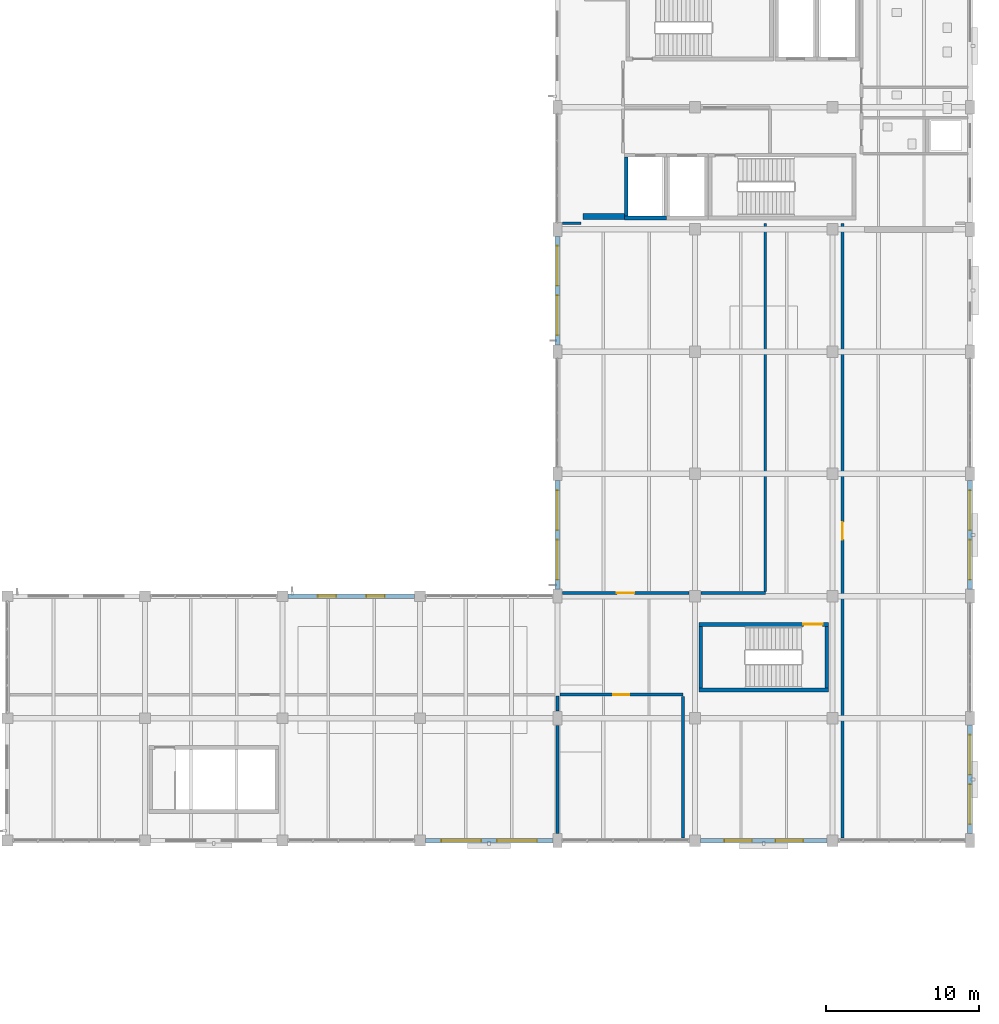
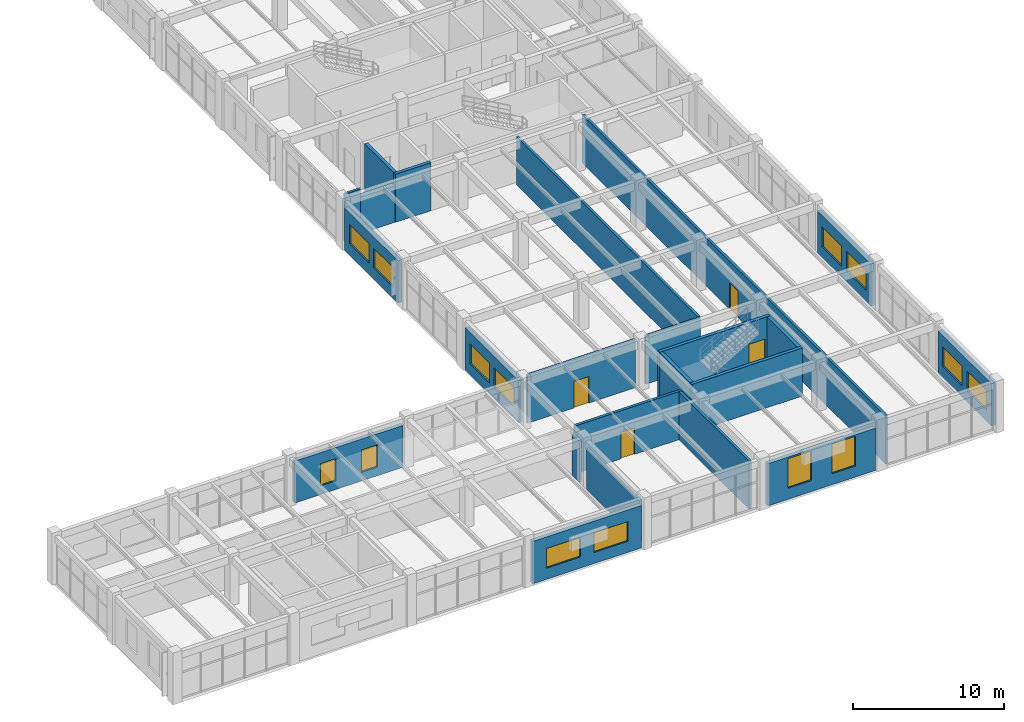
# One storey, part 111 of 128: 23 walls, 14 windows, 4 doors, 18 openings.
"""IFC4 building model written with IfcOpenShell, lengths in metres."""

from ifc_helpers import new_model, si_unit, derived_unit, direction, frame, frame_2d, origin, place, context, subcontext, project, spatial, rectangle, extrude, material, layer, layer_set, type_object, element, fill, save


model = new_model("IFC4")

# Units and contexts
model_context = context("Model", 3, precision=1e-05, world=origin(), true_north=direction((0.0, 1.0)))
body_context = subcontext(model_context, "Body", "Model", "MODEL_VIEW")
ifc_project = project(units=[si_unit("LENGTHUNIT", "METRE"), si_unit("AREAUNIT", "SQUARE_METRE"), si_unit("VOLUMEUNIT", "CUBIC_METRE"), si_unit("PLANEANGLEUNIT", "RADIAN"), si_unit("MASSUNIT", "GRAM", prefix="KILO"), derived_unit("THERMALTRANSMITTANCEUNIT", [(si_unit("MASSUNIT", "GRAM", prefix="KILO"), 1), (si_unit("TIMEUNIT", "SECOND"), -3), (si_unit("THERMODYNAMICTEMPERATUREUNIT", "KELVIN"), -1)])], contexts=[model_context])

# Site, building, storey
site_placement = place(None, origin())
site = spatial("IfcSite", under=ifc_project, at=site_placement, CompositionType="ELEMENT")
building_placement = place(site_placement, origin())
building = spatial("IfcBuilding", under=site, at=building_placement, Name="Zhenchuan Archway Interchange", CompositionType="ELEMENT")
storey_placement = place(building_placement, frame((0.0, 0.0, 14.39990234375)))
storey = spatial("IfcBuildingStorey", under=building, at=storey_placement, Name="L03", CompositionType="ELEMENT", Elevation=14.39990234375)

# Wall, openings, windows
ifc_material_1 = material(Name="Terracotta Masonry", Category="masonry")
ifc_layer_1 = layer(ifc_material_1, 0.300048828125)
ifc_layer_set_1 = layer_set([ifc_layer_1], Name="Terracotta Masonry")
wall_type_1 = type_object("IfcWallType", Name="EW_TERRA_300", PredefinedType="STANDARD", material=ifc_layer_set_1)
wall_1_placement = place(storey_placement, frame((126.347900390625, 24.0, 0.0), z_axis=(0.0, 0.0, 1.0), x_axis=(1.0, 0.0, 0.0)))
wall_1 = element("IfcWall", 1, at=wall_1_placement, inside=storey, type_object=wall_type_1, Name="Exterior wall L03-003", PredefinedType="STANDARD", context=body_context, shape_type="SweptSolid", body=[
    extrude(rectangle(XDim=8.30419921875, YDim=0.300048828125, at=frame_2d((4.152099609375, 0.0))), origin(), (0.0, 0.0, 1.0), 3.39013671875),
])
opening_1_placement = place(wall_1_placement, frame((1.968017578125, 0.0, 0.699951171875)))
opening_1 = element("IfcOpeningElement", 2, at=opening_1_placement, cuts=wall_1, Name="Opening W-07", PredefinedType="OPENING", context=body_context, shape_type="SweptSolid", body=[
    extrude(rectangle(XDim=1.199951171875, YDim=1.800048828125, at=frame_2d((0.60009765625, 0.89990234375))), frame((0.0, 0.162109375, 0.0), z_axis=(0.0, -1.0, 0.0), x_axis=(1.0, 0.0, 0.0)), (0.0, 0.0, 1.0), 0.323974609375),
])
opening_2_placement = place(wall_1_placement, frame((5.135986328125, 0.0, 0.699951171875)))
opening_2 = element("IfcOpeningElement", 3, at=opening_2_placement, cuts=wall_1, Name="Opening W-07", PredefinedType="OPENING", context=body_context, shape_type="SweptSolid", body=[
    extrude(rectangle(XDim=1.199951171875, YDim=1.800048828125, at=frame_2d((0.60009765625, 0.89990234375))), frame((0.0, 0.162109375, 0.0), z_axis=(0.0, -1.0, 0.0), x_axis=(1.0, 0.0, 0.0)), (0.0, 0.0, 1.0), 0.323974609375),
])
ifc_material_2 = material(Name="Double Low-E Insulated Glazing", Category="glass")
window_type_1 = type_object("IfcWindowType", Name="WN_MOD_1200x1800", PartitioningType="SINGLE_PANEL", PredefinedType="WINDOW", material=ifc_material_2)
window_1_placement = place(opening_1_placement, origin())
window_1 = element("IfcWindow", 4, at=window_1_placement, inside=storey, type_object=window_type_1, Name="Window L03-0266", OverallHeight=1.800048828125, OverallWidth=1.199951171875, PartitioningType="SINGLE_PANEL", PredefinedType="WINDOW", context=body_context, shape_type="SweptSolid", body=[
    extrude(rectangle(XDim=1.199951171875, YDim=1.800048828125, at=frame_2d((0.60009765625, 0.89990234375))), frame((0.0, 0.030029296875, 0.0), z_axis=(0.0, -1.0, 0.0), x_axis=(1.0, 0.0, 0.0)), (0.0, 0.0, 1.0), 0.06005859375),
])
fill(opening_1, window_1)
window_2_placement = place(opening_2_placement, origin())
window_2 = element("IfcWindow", 5, at=window_2_placement, inside=storey, type_object=window_type_1, Name="Window L03-0267", OverallHeight=1.800048828125, OverallWidth=1.199951171875, PartitioningType="SINGLE_PANEL", PredefinedType="WINDOW", context=body_context, shape_type="SweptSolid", body=[
    extrude(rectangle(XDim=1.199951171875, YDim=1.800048828125, at=frame_2d((0.60009765625, 0.89990234375))), frame((0.0, 0.030029296875, 0.0), z_axis=(0.0, -1.0, 0.0), x_axis=(1.0, 0.0, 0.0)), (0.0, 0.0, 1.0), 0.06005859375),
])
fill(opening_2, window_2)

wall_2_placement = place(storey_placement, frame((144.0, 24.447998046875, 0.0), z_axis=(0.0, 0.0, 1.0), x_axis=(0.0, 1.0, 0.0)))
wall_2 = element("IfcWall", 6, at=wall_2_placement, inside=storey, type_object=wall_type_1, Name="Exterior wall L03-005", PredefinedType="STANDARD", context=body_context, shape_type="SweptSolid", body=[
    extrude(rectangle(XDim=7.10400390625, YDim=0.300048828125, at=frame_2d((3.552001953125, 0.0))), origin(), (0.0, 0.0, 1.0), 3.43017578125),
])
opening_3_placement = place(wall_2_placement, frame((0.634765625, 0.0, 0.89990234375)))
opening_3 = element("IfcOpeningElement", 7, at=opening_3_placement, cuts=wall_2, Name="Opening W-09", PredefinedType="OPENING", context=body_context, shape_type="SweptSolid", body=[
    extrude(rectangle(XDim=2.60009765625, YDim=1.60009765625, at=frame_2d((1.300048828125, 0.800048828125))), frame((0.0, 0.162109375, 0.0), z_axis=(0.0, -1.0, 0.0), x_axis=(1.0, 0.0, 0.0)), (0.0, 0.0, 1.0), 0.323974609375),
])
opening_4_placement = place(wall_2_placement, frame((3.869384765625, 0.0, 0.89990234375)))
opening_4 = element("IfcOpeningElement", 8, at=opening_4_placement, cuts=wall_2, Name="Opening W-09", PredefinedType="OPENING", context=body_context, shape_type="SweptSolid", body=[
    extrude(rectangle(XDim=2.60009765625, YDim=1.60009765625, at=frame_2d((1.300048828125, 0.800048828125))), frame((0.0, 0.162109375, 0.0), z_axis=(0.0, -1.0, 0.0), x_axis=(1.0, 0.0, 0.0)), (0.0, 0.0, 1.0), 0.323974609375),
])
window_type_2 = type_object("IfcWindowType", Name="WN_MOD_2600x1600", PartitioningType="SINGLE_PANEL", PredefinedType="WINDOW", material=ifc_material_2)
window_3_placement = place(opening_3_placement, origin())
window_3 = element("IfcWindow", 9, at=window_3_placement, inside=storey, type_object=window_type_2, Name="Window L03-0268", OverallHeight=1.60009765625, OverallWidth=2.60009765625, PartitioningType="SINGLE_PANEL", PredefinedType="WINDOW", context=body_context, shape_type="SweptSolid", body=[
    extrude(rectangle(XDim=2.60009765625, YDim=1.60009765625, at=frame_2d((1.300048828125, 0.800048828125))), frame((0.0, 0.030029296875, 0.0), z_axis=(0.0, -1.0, 0.0), x_axis=(1.0, 0.0, 0.0)), (0.0, 0.0, 1.0), 0.06005859375),
])
fill(opening_3, window_3)
window_4_placement = place(opening_4_placement, origin())
window_4 = element("IfcWindow", 10, at=window_4_placement, inside=storey, type_object=window_type_2, Name="Window L03-0269", OverallHeight=1.60009765625, OverallWidth=2.60009765625, PartitioningType="SINGLE_PANEL", PredefinedType="WINDOW", context=body_context, shape_type="SweptSolid", body=[
    extrude(rectangle(XDim=2.60009765625, YDim=1.60009765625, at=frame_2d((1.300048828125, 0.800048828125))), frame((0.0, 0.030029296875, 0.0), z_axis=(0.0, -1.0, 0.0), x_axis=(1.0, 0.0, 0.0)), (0.0, 0.0, 1.0), 0.06005859375),
])
fill(opening_4, window_4)

wall_3_placement = place(storey_placement, frame((144.0, 40.447998046875, 0.0), z_axis=(0.0, 0.0, 1.0), x_axis=(0.0, 1.0, 0.0)))
wall_3 = element("IfcWall", 11, at=wall_3_placement, inside=storey, type_object=wall_type_1, Name="Exterior wall L03-007", PredefinedType="STANDARD", context=body_context, shape_type="SweptSolid", body=[
    extrude(rectangle(XDim=7.10400390625, YDim=0.300048828125, at=frame_2d((3.552001953125, 0.0))), origin(), (0.0, 0.0, 1.0), 3.43017578125),
])
opening_5_placement = place(wall_3_placement, frame((0.634765625, 0.0, 0.89990234375)))
opening_5 = element("IfcOpeningElement", 12, at=opening_5_placement, cuts=wall_3, Name="Opening W-09", PredefinedType="OPENING", context=body_context, shape_type="SweptSolid", body=[
    extrude(rectangle(XDim=2.60009765625, YDim=1.60009765625, at=frame_2d((1.300048828125, 0.800048828125))), frame((0.0, 0.162109375, 0.0), z_axis=(0.0, -1.0, 0.0), x_axis=(1.0, 0.0, 0.0)), (0.0, 0.0, 1.0), 0.323974609375),
])
opening_6_placement = place(wall_3_placement, frame((3.869384765625, 0.0, 0.89990234375)))
opening_6 = element("IfcOpeningElement", 13, at=opening_6_placement, cuts=wall_3, Name="Opening W-09", PredefinedType="OPENING", context=body_context, shape_type="SweptSolid", body=[
    extrude(rectangle(XDim=2.60009765625, YDim=1.60009765625, at=frame_2d((1.300048828125, 0.800048828125))), frame((0.0, 0.162109375, 0.0), z_axis=(0.0, -1.0, 0.0), x_axis=(1.0, 0.0, 0.0)), (0.0, 0.0, 1.0), 0.323974609375),
])
window_5_placement = place(opening_5_placement, origin())
window_5 = element("IfcWindow", 14, at=window_5_placement, inside=storey, type_object=window_type_2, Name="Window L03-0270", OverallHeight=1.60009765625, OverallWidth=2.60009765625, PartitioningType="SINGLE_PANEL", PredefinedType="WINDOW", context=body_context, shape_type="SweptSolid", body=[
    extrude(rectangle(XDim=2.60009765625, YDim=1.60009765625, at=frame_2d((1.300048828125, 0.800048828125))), frame((0.0, 0.030029296875, 0.0), z_axis=(0.0, -1.0, 0.0), x_axis=(1.0, 0.0, 0.0)), (0.0, 0.0, 1.0), 0.06005859375),
])
fill(opening_5, window_5)
window_6_placement = place(opening_6_placement, origin())
window_6 = element("IfcWindow", 15, at=window_6_placement, inside=storey, type_object=window_type_2, Name="Window L03-0271", OverallHeight=1.60009765625, OverallWidth=2.60009765625, PartitioningType="SINGLE_PANEL", PredefinedType="WINDOW", context=body_context, shape_type="SweptSolid", body=[
    extrude(rectangle(XDim=2.60009765625, YDim=1.60009765625, at=frame_2d((1.300048828125, 0.800048828125))), frame((0.0, 0.030029296875, 0.0), z_axis=(0.0, -1.0, 0.0), x_axis=(1.0, 0.0, 0.0)), (0.0, 0.0, 1.0), 0.06005859375),
])
fill(opening_6, window_6)

wall_4_placement = place(storey_placement, frame((171.0, 31.552001953125, 0.0), z_axis=(0.0, 0.0, 1.0), x_axis=(0.0, -1.0, 0.0)))
wall_4 = element("IfcWall", 16, at=wall_4_placement, inside=storey, type_object=wall_type_1, Name="Exterior wall L03-035", PredefinedType="STANDARD", context=body_context, shape_type="SweptSolid", body=[
    extrude(rectangle(XDim=7.10400390625, YDim=0.300048828125, at=frame_2d((3.552001953125, 0.0))), origin(), (0.0, 0.0, 1.0), 3.43017578125),
])
opening_7_placement = place(wall_4_placement, frame((0.634765625, 0.0, 0.89990234375)))
opening_7 = element("IfcOpeningElement", 17, at=opening_7_placement, cuts=wall_4, Name="Opening W-09", PredefinedType="OPENING", context=body_context, shape_type="SweptSolid", body=[
    extrude(rectangle(XDim=2.60009765625, YDim=1.60009765625, at=frame_2d((1.300048828125, 0.800048828125))), frame((0.0, 0.162109375, 0.0), z_axis=(0.0, -1.0, 0.0), x_axis=(1.0, 0.0, 0.0)), (0.0, 0.0, 1.0), 0.323974609375),
])
opening_8_placement = place(wall_4_placement, frame((3.869384765625, 0.0, 0.89990234375)))
opening_8 = element("IfcOpeningElement", 18, at=opening_8_placement, cuts=wall_4, Name="Opening W-09", PredefinedType="OPENING", context=body_context, shape_type="SweptSolid", body=[
    extrude(rectangle(XDim=2.60009765625, YDim=1.60009765625, at=frame_2d((1.300048828125, 0.800048828125))), frame((0.0, 0.162109375, 0.0), z_axis=(0.0, -1.0, 0.0), x_axis=(1.0, 0.0, 0.0)), (0.0, 0.0, 1.0), 0.323974609375),
])
window_7_placement = place(opening_7_placement, origin())
window_7 = element("IfcWindow", 19, at=window_7_placement, inside=storey, type_object=window_type_2, Name="Window L03-0298", OverallHeight=1.60009765625, OverallWidth=2.60009765625, PartitioningType="SINGLE_PANEL", PredefinedType="WINDOW", context=body_context, shape_type="SweptSolid", body=[
    extrude(rectangle(XDim=2.60009765625, YDim=1.60009765625, at=frame_2d((1.300048828125, 0.800048828125))), frame((0.0, 0.030029296875, 0.0), z_axis=(0.0, -1.0, 0.0), x_axis=(1.0, 0.0, 0.0)), (0.0, 0.0, 1.0), 0.06005859375),
])
fill(opening_7, window_7)
window_8_placement = place(opening_8_placement, origin())
window_8 = element("IfcWindow", 20, at=window_8_placement, inside=storey, type_object=window_type_2, Name="Window L03-0299", OverallHeight=1.60009765625, OverallWidth=2.60009765625, PartitioningType="SINGLE_PANEL", PredefinedType="WINDOW", context=body_context, shape_type="SweptSolid", body=[
    extrude(rectangle(XDim=2.60009765625, YDim=1.60009765625, at=frame_2d((1.300048828125, 0.800048828125))), frame((0.0, 0.030029296875, 0.0), z_axis=(0.0, -1.0, 0.0), x_axis=(1.0, 0.0, 0.0)), (0.0, 0.0, 1.0), 0.06005859375),
])
fill(opening_8, window_8)

wall_5_placement = place(storey_placement, frame((171.0, 15.552001953125, 0.0), z_axis=(0.0, 0.0, 1.0), x_axis=(0.0, -1.0, 0.0)))
wall_5 = element("IfcWall", 21, at=wall_5_placement, inside=storey, type_object=wall_type_1, Name="Exterior wall L03-037", PredefinedType="STANDARD", context=body_context, shape_type="SweptSolid", body=[
    extrude(rectangle(XDim=7.10400390625, YDim=0.300048828125, at=frame_2d((3.552001953125, 0.0))), origin(), (0.0, 0.0, 1.0), 3.43017578125),
])
opening_9_placement = place(wall_5_placement, frame((0.634765625, 0.0, 0.89990234375)))
opening_9 = element("IfcOpeningElement", 22, at=opening_9_placement, cuts=wall_5, Name="Opening W-09", PredefinedType="OPENING", context=body_context, shape_type="SweptSolid", body=[
    extrude(rectangle(XDim=2.60009765625, YDim=1.60009765625, at=frame_2d((1.300048828125, 0.800048828125))), frame((0.0, 0.162109375, 0.0), z_axis=(0.0, -1.0, 0.0), x_axis=(1.0, 0.0, 0.0)), (0.0, 0.0, 1.0), 0.323974609375),
])
opening_10_placement = place(wall_5_placement, frame((3.869384765625, 0.0, 0.89990234375)))
opening_10 = element("IfcOpeningElement", 23, at=opening_10_placement, cuts=wall_5, Name="Opening W-09", PredefinedType="OPENING", context=body_context, shape_type="SweptSolid", body=[
    extrude(rectangle(XDim=2.60009765625, YDim=1.60009765625, at=frame_2d((1.300048828125, 0.800048828125))), frame((0.0, 0.162109375, 0.0), z_axis=(0.0, -1.0, 0.0), x_axis=(1.0, 0.0, 0.0)), (0.0, 0.0, 1.0), 0.323974609375),
])
window_9_placement = place(opening_9_placement, origin())
window_9 = element("IfcWindow", 24, at=window_9_placement, inside=storey, type_object=window_type_2, Name="Window L03-0300", OverallHeight=1.60009765625, OverallWidth=2.60009765625, PartitioningType="SINGLE_PANEL", PredefinedType="WINDOW", context=body_context, shape_type="SweptSolid", body=[
    extrude(rectangle(XDim=2.60009765625, YDim=1.60009765625, at=frame_2d((1.300048828125, 0.800048828125))), frame((0.0, 0.030029296875, 0.0), z_axis=(0.0, -1.0, 0.0), x_axis=(1.0, 0.0, 0.0)), (0.0, 0.0, 1.0), 0.06005859375),
])
fill(opening_9, window_9)
window_10_placement = place(opening_10_placement, origin())
window_10 = element("IfcWindow", 25, at=window_10_placement, inside=storey, type_object=window_type_2, Name="Window L03-0301", OverallHeight=1.60009765625, OverallWidth=2.60009765625, PartitioningType="SINGLE_PANEL", PredefinedType="WINDOW", context=body_context, shape_type="SweptSolid", body=[
    extrude(rectangle(XDim=2.60009765625, YDim=1.60009765625, at=frame_2d((1.300048828125, 0.800048828125))), frame((0.0, 0.030029296875, 0.0), z_axis=(0.0, -1.0, 0.0), x_axis=(1.0, 0.0, 0.0)), (0.0, 0.0, 1.0), 0.06005859375),
])
fill(opening_10, window_10)

wall_6_placement = place(storey_placement, frame((161.626953125, 8.0, 0.0), z_axis=(0.0, 0.0, 1.0), x_axis=(-1.0, 0.0, 0.0)))
wall_6 = element("IfcWall", 26, at=wall_6_placement, inside=storey, type_object=wall_type_1, Name="Exterior wall L03-039", PredefinedType="STANDARD", context=body_context, shape_type="SweptSolid", body=[
    extrude(rectangle(XDim=8.25390625, YDim=0.300048828125, at=frame_2d((4.126953125, 0.0))), origin(), (0.0, 0.0, 1.0), 3.43017578125),
])
opening_11_placement = place(wall_6_placement, frame((1.55126953125, 0.0, 0.89990234375)))
opening_11 = element("IfcOpeningElement", 27, at=opening_11_placement, cuts=wall_6, Name="Opening W-03", PredefinedType="OPENING", context=body_context, shape_type="SweptSolid", body=[
    extrude(rectangle(XDim=1.800048828125, YDim=2.39990234375, at=frame_2d((0.89990234375, 1.199951171875))), frame((0.0, 0.162109375, 0.0), z_axis=(0.0, -1.0, 0.0), x_axis=(1.0, 0.0, 0.0)), (0.0, 0.0, 1.0), 0.323974609375),
])
opening_12_placement = place(wall_6_placement, frame((4.902587890625, 0.0, 0.89990234375)))
opening_12 = element("IfcOpeningElement", 28, at=opening_12_placement, cuts=wall_6, Name="Opening W-03", PredefinedType="OPENING", context=body_context, shape_type="SweptSolid", body=[
    extrude(rectangle(XDim=1.800048828125, YDim=2.39990234375, at=frame_2d((0.89990234375, 1.199951171875))), frame((0.0, 0.162109375, 0.0), z_axis=(0.0, -1.0, 0.0), x_axis=(1.0, 0.0, 0.0)), (0.0, 0.0, 1.0), 0.323974609375),
])
window_type_3 = type_object("IfcWindowType", Name="WN_PUNCH_1800x2400", PartitioningType="SINGLE_PANEL", PredefinedType="WINDOW", material=ifc_material_2)
window_11_placement = place(opening_11_placement, origin())
window_11 = element("IfcWindow", 29, at=window_11_placement, inside=storey, type_object=window_type_3, Name="Window L03-0302", OverallHeight=2.39990234375, OverallWidth=1.800048828125, PartitioningType="SINGLE_PANEL", PredefinedType="WINDOW", context=body_context, shape_type="SweptSolid", body=[
    extrude(rectangle(XDim=1.800048828125, YDim=2.39990234375, at=frame_2d((0.89990234375, 1.199951171875))), frame((0.0, 0.030029296875, 0.0), z_axis=(0.0, -1.0, 0.0), x_axis=(1.0, 0.0, 0.0)), (0.0, 0.0, 1.0), 0.06005859375),
])
fill(opening_11, window_11)
window_12_placement = place(opening_12_placement, origin())
window_12 = element("IfcWindow", 30, at=window_12_placement, inside=storey, type_object=window_type_3, Name="Window L03-0303", OverallHeight=2.39990234375, OverallWidth=1.800048828125, PartitioningType="SINGLE_PANEL", PredefinedType="WINDOW", context=body_context, shape_type="SweptSolid", body=[
    extrude(rectangle(XDim=1.800048828125, YDim=2.39990234375, at=frame_2d((0.89990234375, 1.199951171875))), frame((0.0, 0.030029296875, 0.0), z_axis=(0.0, -1.0, 0.0), x_axis=(1.0, 0.0, 0.0)), (0.0, 0.0, 1.0), 0.06005859375),
])
fill(opening_12, window_12)

wall_7_placement = place(storey_placement, frame((143.701904296875, 8.0, 0.0), z_axis=(0.0, 0.0, 1.0), x_axis=(-1.0, 0.0, 0.0)))
wall_7 = element("IfcWall", 31, at=wall_7_placement, inside=storey, type_object=wall_type_1, Name="Exterior wall L03-041", PredefinedType="STANDARD", context=body_context, shape_type="SweptSolid", body=[
    extrude(rectangle(XDim=8.35400390625, YDim=0.300048828125, at=frame_2d((4.177001953125, 0.0))), origin(), (0.0, 0.0, 1.0), 3.440185546875),
])
opening_13_placement = place(wall_7_placement, frame((1.05126953125, 0.0, 0.89990234375)))
opening_13 = element("IfcOpeningElement", 32, at=opening_13_placement, cuts=wall_7, Name="Opening W-09", PredefinedType="OPENING", context=body_context, shape_type="SweptSolid", body=[
    extrude(rectangle(XDim=2.60009765625, YDim=1.60009765625, at=frame_2d((1.300048828125, 0.800048828125))), frame((0.0, 0.162109375, 0.0), z_axis=(0.0, -1.0, 0.0), x_axis=(1.0, 0.0, 0.0)), (0.0, 0.0, 1.0), 0.323974609375),
])
opening_14_placement = place(wall_7_placement, frame((4.70263671875, 0.0, 0.89990234375)))
opening_14 = element("IfcOpeningElement", 33, at=opening_14_placement, cuts=wall_7, Name="Opening W-09", PredefinedType="OPENING", context=body_context, shape_type="SweptSolid", body=[
    extrude(rectangle(XDim=2.60009765625, YDim=1.60009765625, at=frame_2d((1.300048828125, 0.800048828125))), frame((0.0, 0.162109375, 0.0), z_axis=(0.0, -1.0, 0.0), x_axis=(1.0, 0.0, 0.0)), (0.0, 0.0, 1.0), 0.323974609375),
])
window_13_placement = place(opening_13_placement, origin())
window_13 = element("IfcWindow", 34, at=window_13_placement, inside=storey, type_object=window_type_2, Name="Window L03-0304", OverallHeight=1.60009765625, OverallWidth=2.60009765625, PartitioningType="SINGLE_PANEL", PredefinedType="WINDOW", context=body_context, shape_type="SweptSolid", body=[
    extrude(rectangle(XDim=2.60009765625, YDim=1.60009765625, at=frame_2d((1.300048828125, 0.800048828125))), frame((0.0, 0.030029296875, 0.0), z_axis=(0.0, -1.0, 0.0), x_axis=(1.0, 0.0, 0.0)), (0.0, 0.0, 1.0), 0.06005859375),
])
fill(opening_13, window_13)
window_14_placement = place(opening_14_placement, origin())
window_14 = element("IfcWindow", 35, at=window_14_placement, inside=storey, type_object=window_type_2, Name="Window L03-0305", OverallHeight=1.60009765625, OverallWidth=2.60009765625, PartitioningType="SINGLE_PANEL", PredefinedType="WINDOW", context=body_context, shape_type="SweptSolid", body=[
    extrude(rectangle(XDim=2.60009765625, YDim=1.60009765625, at=frame_2d((1.300048828125, 0.800048828125))), frame((0.0, 0.030029296875, 0.0), z_axis=(0.0, -1.0, 0.0), x_axis=(1.0, 0.0, 0.0)), (0.0, 0.0, 1.0), 0.06005859375),
])
fill(opening_14, window_14)

# Wall
ifc_material_3 = material(Name="Concrete C50", Category="concrete")
ifc_layer_2 = layer(ifc_material_3, 0.3798828125)
ifc_layer_set_2 = layer_set([ifc_layer_2], Name="Concrete C50")
wall_type_2 = type_object("IfcWallType", Name="WL_CORE_380", PredefinedType="SHEAR", material=ifc_layer_set_2)
wall_8_placement = place(storey_placement, frame((145.679931640625, 48.85498046875, 0.0), z_axis=(0.0, 0.0, 1.0), x_axis=(1.0, 0.0, 0.0)))
element("IfcWall", 36, at=wall_8_placement, inside=storey, type_object=wall_type_2, Name="Operations lateral shear wall W-S (L03)", PredefinedType="SHEAR", context=body_context, shape_type="SweptSolid", body=[
    extrude(rectangle(XDim=2.699951171875, YDim=0.3798828125, at=frame_2d((1.35009765625, 0.0))), origin(), (0.0, 0.0, 1.0), 2.9501953125),
])

# Wall, opening, door
ifc_material_4 = material(Name="Autoclaved Aerated Concrete Block", Category="concrete")
ifc_layer_3 = layer(ifc_material_4, 0.199951171875)
ifc_layer_set_3 = layer_set([ifc_layer_3], Name="Autoclaved Aerated Concrete Block")
wall_type_3 = type_object("IfcWallType", Name="WL_FIRE_200", PredefinedType="STANDARD", material=ifc_layer_set_3)
wall_9_placement = place(storey_placement, frame((144.14990234375, 17.550048828125, 0.0), z_axis=(0.0, 0.0, 1.0), x_axis=(1.0, 0.0, 0.0)))
wall_9 = element("IfcWall", 37, at=wall_9_placement, inside=storey, type_object=wall_type_3, Name="SCADA Redundant Server Room N partition (L03)", PredefinedType="STANDARD", context=body_context, shape_type="SweptSolid", body=[
    extrude(rectangle(XDim=8.050048828125, YDim=0.199951171875, at=frame_2d((4.02490234375, 0.0))), origin(), (0.0, 0.0, 1.0), 3.900146484375),
])
opening_15_placement = place(wall_9_placement, frame((3.5, 0.0, 0.0)))
opening_15 = element("IfcOpeningElement", 38, at=opening_15_placement, cuts=wall_9, Name="Opening FD-03", PredefinedType="OPENING", context=body_context, shape_type="SweptSolid", body=[
    extrude(rectangle(XDim=1.050048828125, YDim=2.14990234375, at=frame_2d((0.52490234375, 1.074951171875))), frame((0.0, 0.11181640625, 0.0), z_axis=(0.0, -1.0, 0.0), x_axis=(1.0, 0.0, 0.0)), (0.0, 0.0, 1.0), 0.223876953125),
])
ifc_material_5 = material(Name="Painted Galvanised Steel", Category="steel")
door_type_1 = type_object("IfcDoorType", Name="DR_PLANT_FD60_S", OperationType="NOTDEFINED", PredefinedType="DOOR", material=ifc_material_5)
door_1_placement = place(opening_15_placement, origin())
door_1 = element("IfcDoor", 39, at=door_1_placement, inside=storey, type_object=door_type_1, Name="SCADA Redundant Server Room door (L03)", OperationType="SINGLE_SWING_RIGHT", OverallHeight=2.14990234375, OverallWidth=1.050048828125, PredefinedType="DOOR", context=body_context, shape_type="SweptSolid", body=[
    extrude(rectangle(XDim=1.050048828125, YDim=2.14990234375, at=frame_2d((0.52490234375, 1.074951171875))), frame((0.0, 0.02490234375, 0.0), z_axis=(0.0, -1.0, 0.0), x_axis=(1.0, 0.0, 0.0)), (0.0, 0.0, 1.0), 0.050048828125),
])
fill(opening_15, door_1)

# Walls
wall_10_placement = place(storey_placement, frame((152.199951171875, 8.1650390625, 0.0), z_axis=(0.0, 0.0, 1.0), x_axis=(0.0, 1.0, 0.0)))
element("IfcWall", 40, at=wall_10_placement, inside=storey, type_object=wall_type_3, Name="SCADA Redundant Server Room E partition (L03)", PredefinedType="STANDARD", context=body_context, shape_type="SweptSolid", body=[
    extrude(rectangle(XDim=9.27490234375, YDim=0.199951171875, at=frame_2d((4.637451171875, 0.0))), origin(), (0.0, 0.0, 1.0), 3.900146484375),
])
ifc_material_6 = material(Name="Concrete C40", Category="concrete")
ifc_layer_4 = layer(ifc_material_6, 0.239990234375)
ifc_layer_set_4 = layer_set([ifc_layer_4], Name="Concrete C40")
wall_type_4 = type_object("IfcWallType", Name="WL_LIFT_240", PredefinedType="SHEAR", material=ifc_layer_set_4)
wall_11_placement = place(storey_placement, frame((148.3798828125, 48.75, 0.0), z_axis=(0.0, 0.0, 1.0), x_axis=(1.0, 0.0, 0.0)))
element("IfcWall", 41, at=wall_11_placement, inside=storey, type_object=wall_type_4, Name="Lift LF-08 south shaft wall (L03)", PredefinedType="SHEAR", context=body_context, shape_type="SweptSolid", body=[
    extrude(rectangle(XDim=2.740234375, YDim=0.239990234375, at=frame_2d((1.3701171875, 0.0))), origin(), (0.0, 0.0, 1.0), 3.900146484375),
])
wall_12_placement = place(storey_placement, frame((148.5, 52.72998046875, 0.0), z_axis=(0.0, 0.0, 1.0), x_axis=(0.0, -1.0, 0.0)))
element("IfcWall", 42, at=wall_12_placement, inside=storey, type_object=wall_type_4, Name="Lift LF-08 west shaft wall (L03)", PredefinedType="SHEAR", context=body_context, shape_type="SweptSolid", body=[
    extrude(rectangle(XDim=3.85986328125, YDim=0.239990234375, at=frame_2d((1.929931640625, 0.0))), origin(), (0.0, 0.0, 1.0), 3.900146484375),
])
ifc_material_7 = material(Name="Concrete Block Masonry", Category="masonry")
ifc_layer_5 = layer(ifc_material_7, 0.179931640625)
ifc_layer_set_5 = layer_set([ifc_layer_5], Name="Concrete Block Masonry")
wall_type_5 = type_object("IfcWallType", Name="WL_PART_180", PredefinedType="STANDARD", material=ifc_layer_set_5)
wall_13_placement = place(storey_placement, frame((144.0, 8.47509765625, 0.0), z_axis=(0.0, 0.0, 1.0), x_axis=(0.0, 1.0, 0.0)))
element("IfcWall", 43, at=wall_13_placement, inside=storey, type_object=wall_type_5, Name="Bus Network Dispatch Centre E partition (L03)", PredefinedType="STANDARD", context=body_context, shape_type="SweptSolid", body=[
    extrude(rectangle(XDim=7.0498046875, YDim=0.179931640625, at=frame_2d((3.52490234375, 0.0))), origin(), (0.0, 0.0, 1.0), 3.330078125),
])
wall_14_placement = place(storey_placement, frame((144.0, 16.47509765625, 0.0), z_axis=(0.0, 0.0, 1.0), x_axis=(0.0, 1.0, 0.0)))
element("IfcWall", 44, at=wall_14_placement, inside=storey, type_object=wall_type_5, Name="Bus Network Dispatch Centre E partition (L03)", PredefinedType="STANDARD", context=body_context, shape_type="SweptSolid", body=[
    extrude(rectangle(XDim=0.974853515625, YDim=0.179931640625, at=frame_2d((0.4873046875, 0.0))), origin(), (0.0, 0.0, 1.0), 3.330078125),
])

# Wall, opening, door
wall_15_placement = place(storey_placement, frame((162.64990234375, 8.1650390625, 0.0), z_axis=(0.0, 0.0, 1.0), x_axis=(0.0, 1.0, 0.0)))
wall_15 = element("IfcWall", 45, at=wall_15_placement, inside=storey, type_object=wall_type_5, Name="Traction Power SCADA Control Room W partition (L03)", PredefinedType="STANDARD", context=body_context, shape_type="SweptSolid", body=[
    extrude(rectangle(XDim=40.23486328125, YDim=0.179931640625, at=frame_2d((20.117431640625, 0.0))), origin(), (0.0, 0.0, 1.0), 3.900146484375),
])
opening_16_placement = place(wall_15_placement, frame((19.52490234375, 0.0, 0.0)))
opening_16 = element("IfcOpeningElement", 46, at=opening_16_placement, cuts=wall_15, Name="Opening ID-06", PredefinedType="OPENING", context=body_context, shape_type="SweptSolid", body=[
    extrude(rectangle(XDim=1.14990234375, YDim=2.14990234375, at=frame_2d((0.574951171875, 1.074951171875))), frame((0.0, 0.10205078125, 0.0), z_axis=(0.0, -1.0, 0.0), x_axis=(1.0, 0.0, 0.0)), (0.0, 0.0, 1.0), 0.203857421875),
])
ifc_material_8 = material(Name="Hardwood Timber", Category="wood")
door_type_2 = type_object("IfcDoorType", Name="DR_CTRL_115", OperationType="NOTDEFINED", PredefinedType="DOOR", material=ifc_material_8)
door_2_placement = place(opening_16_placement, origin())
door_2 = element("IfcDoor", 47, at=door_2_placement, inside=storey, type_object=door_type_2, Name="Traction Power SCADA Control Room door (L03)", OperationType="SINGLE_SWING_RIGHT", OverallHeight=2.14990234375, OverallWidth=1.14990234375, PredefinedType="DOOR", context=body_context, shape_type="SweptSolid", body=[
    extrude(rectangle(XDim=1.14990234375, YDim=2.14990234375, at=frame_2d((0.574951171875, 1.074951171875))), frame((0.0, 0.02490234375, 0.0), z_axis=(0.0, -1.0, 0.0), x_axis=(1.0, 0.0, 0.0)), (0.0, 0.0, 1.0), 0.050048828125),
])
fill(opening_16, door_2)

wall_16_placement = place(storey_placement, frame((144.324951171875, 24.199951171875, 0.0), z_axis=(0.0, 0.0, 1.0), x_axis=(1.0, 0.0, 0.0)))
wall_16 = element("IfcWall", 48, at=wall_16_placement, inside=storey, type_object=wall_type_5, Name="Wayfinding Signage and Acoustics Lab S partition (L03)", PredefinedType="STANDARD", context=body_context, shape_type="SweptSolid", body=[
    extrude(rectangle(XDim=8.275146484375, YDim=0.179931640625, at=frame_2d((4.1376953125, 0.0))), origin(), (0.0, 0.0, 1.0), 3.900146484375),
])
opening_17_placement = place(wall_16_placement, frame((3.5625, 0.0, 0.0)))
opening_17 = element("IfcOpeningElement", 49, at=opening_17_placement, cuts=wall_16, Name="Opening ID-06", PredefinedType="OPENING", context=body_context, shape_type="SweptSolid", body=[
    extrude(rectangle(XDim=1.14990234375, YDim=2.14990234375, at=frame_2d((0.574951171875, 1.074951171875))), frame((0.0, 0.10205078125, 0.0), z_axis=(0.0, -1.0, 0.0), x_axis=(1.0, 0.0, 0.0)), (0.0, 0.0, 1.0), 0.203857421875),
])
door_3_placement = place(opening_17_placement, origin())
door_3 = element("IfcDoor", 50, at=door_3_placement, inside=storey, type_object=door_type_2, Name="Wayfinding Signage and Acoustics Lab door (L03)", OperationType="SINGLE_SWING_RIGHT", OverallHeight=2.14990234375, OverallWidth=1.14990234375, PredefinedType="DOOR", context=body_context, shape_type="SweptSolid", body=[
    extrude(rectangle(XDim=1.14990234375, YDim=2.14990234375, at=frame_2d((0.574951171875, 1.074951171875))), frame((0.0, 0.02490234375, 0.0), z_axis=(0.0, -1.0, 0.0), x_axis=(1.0, 0.0, 0.0)), (0.0, 0.0, 1.0), 0.050048828125),
])
fill(opening_17, door_3)

# Walls
wall_17_placement = place(storey_placement, frame((153.39990234375, 24.199951171875, 0.0), z_axis=(0.0, 0.0, 1.0), x_axis=(1.0, 0.0, 0.0)))
element("IfcWall", 51, at=wall_17_placement, inside=storey, type_object=wall_type_5, Name="Wayfinding Signage and Acoustics Lab S partition (L03)", PredefinedType="STANDARD", context=body_context, shape_type="SweptSolid", body=[
    extrude(rectangle(XDim=4.2001953125, YDim=0.179931640625, at=frame_2d((2.10009765625, 0.0))), origin(), (0.0, 0.0, 1.0), 3.900146484375),
])
wall_18_placement = place(storey_placement, frame((144.324951171875, 48.39990234375, 0.0), z_axis=(0.0, 0.0, 1.0), x_axis=(1.0, 0.0, 0.0)))
element("IfcWall", 52, at=wall_18_placement, inside=storey, type_object=wall_type_5, Name="Wayfinding Signage and Acoustics Lab N partition (L03)", PredefinedType="STANDARD", context=body_context, shape_type="SweptSolid", body=[
    extrude(rectangle(XDim=1.205078125, YDim=0.179931640625, at=frame_2d((0.6025390625, 0.0))), origin(), (0.0, 0.0, 1.0), 3.900146484375),
])
wall_19_placement = place(storey_placement, frame((157.60009765625, 24.300048828125, 0.0), z_axis=(0.0, 0.0, 1.0), x_axis=(0.0, 1.0, 0.0)))
element("IfcWall", 53, at=wall_19_placement, inside=storey, type_object=wall_type_5, Name="Wayfinding Signage and Acoustics Lab E partition (L03)", PredefinedType="STANDARD", context=body_context, shape_type="SweptSolid", body=[
    extrude(rectangle(XDim=24.099853515625, YDim=0.179931640625, at=frame_2d((12.0498046875, 0.0))), origin(), (0.0, 0.0, 1.0), 3.900146484375),
])
ifc_layer_6 = layer(ifc_material_6, 0.25)
ifc_layer_set_6 = layer_set([ifc_layer_6], Name="Concrete C40")
wall_type_6 = type_object("IfcWallType", Name="WL_STAIR_250", PredefinedType="SHEAR", material=ifc_layer_set_6)
wall_20_placement = place(storey_placement, frame((153.2548828125, 17.85009765625, 0.0), z_axis=(0.0, 0.0, 1.0), x_axis=(1.0, 0.0, 0.0)))
element("IfcWall", 54, at=wall_20_placement, inside=storey, type_object=wall_type_6, Name="Stair ST-O4 south wall (L03)", PredefinedType="SHEAR", context=body_context, shape_type="SweptSolid", body=[
    extrude(rectangle(XDim=8.490234375, YDim=0.25, at=frame_2d((4.2451171875, 0.0))), origin(), (0.0, 0.0, 1.0), 3.900146484375),
])

# Wall, opening, door
wall_21_placement = place(storey_placement, frame((161.7451171875, 22.14990234375, 0.0), z_axis=(0.0, 0.0, 1.0), x_axis=(-1.0, 0.0, 0.0)))
wall_21 = element("IfcWall", 55, at=wall_21_placement, inside=storey, type_object=wall_type_6, Name="Stair ST-O4 north wall (L03)", PredefinedType="SHEAR", context=body_context, shape_type="SweptSolid", body=[
    extrude(rectangle(XDim=8.490234375, YDim=0.25, at=frame_2d((4.2451171875, 0.0))), origin(), (0.0, 0.0, 1.0), 3.900146484375),
])
opening_18_placement = place(wall_21_placement, frame((0.39501953125, 0.0, 0.0)))
opening_18 = element("IfcOpeningElement", 56, at=opening_18_placement, cuts=wall_21, Name="Opening FD-01", PredefinedType="OPENING", context=body_context, shape_type="SweptSolid", body=[
    extrude(rectangle(XDim=1.25, YDim=2.14990234375, at=frame_2d((0.625, 1.074951171875))), frame((0.0, 0.136962890625, 0.0), z_axis=(0.0, -1.0, 0.0), x_axis=(1.0, 0.0, 0.0)), (0.0, 0.0, 1.0), 0.27392578125),
])
door_type_3 = type_object("IfcDoorType", Name="DR_STAIR_FD90", OperationType="NOTDEFINED", PredefinedType="DOOR", material=ifc_material_5)
door_4_placement = place(opening_18_placement, origin())
door_4 = element("IfcDoor", 57, at=door_4_placement, inside=storey, type_object=door_type_3, Name="Stair ST-O4 fire door (L03)", OperationType="SINGLE_SWING_LEFT", OverallHeight=2.14990234375, OverallWidth=1.25, PredefinedType="DOOR", context=body_context, shape_type="SweptSolid", body=[
    extrude(rectangle(XDim=1.25, YDim=2.14990234375, at=frame_2d((0.625, 1.074951171875))), frame((0.0, 0.02490234375, 0.0), z_axis=(0.0, -1.0, 0.0), x_axis=(1.0, 0.0, 0.0)), (0.0, 0.0, 1.0), 0.050048828125),
])
fill(opening_18, door_4)

# Walls
for number, where, z_axis, x_axis, name in (
    (58, (153.3798828125, 22.02490234375, 0.0), (0.0, 0.0, 1.0), (0.0, -1.0, 0.0), "Stair ST-O4 west wall (L03)"),
    (59, (161.6201171875, 17.97509765625, 0.0), (0.0, 0.0, 1.0), (0.0, 1.0, 0.0), "Stair ST-O4 east wall (L03)"),
):
    element("IfcWall", number, at=place(storey_placement, frame(where, z_axis=z_axis, x_axis=x_axis)), inside=storey, type_object=wall_type_6, Name=name, PredefinedType="SHEAR", context=body_context, shape_type="SweptSolid", body=[
        extrude(rectangle(XDim=4.0498046875, YDim=0.25, at=frame_2d((2.02490234375, 0.0))), origin(), (0.0, 0.0, 1.0), 3.900146484375),
    ])

save(model, "model.ifc")
